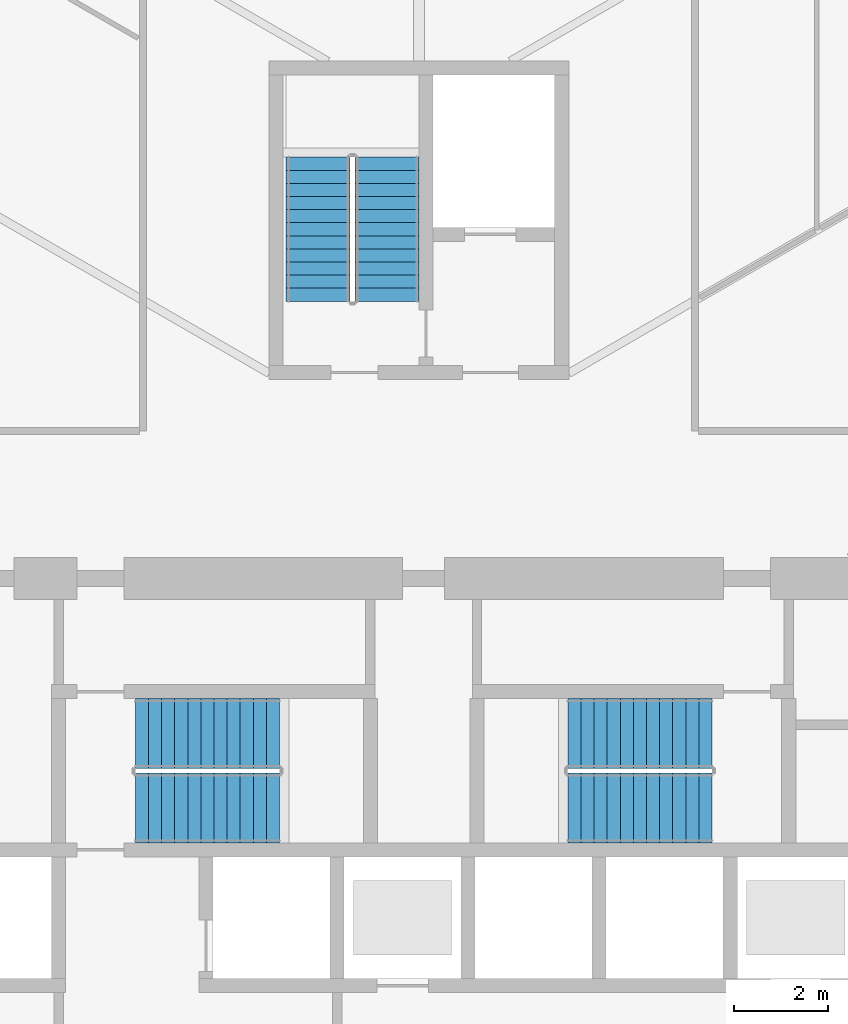
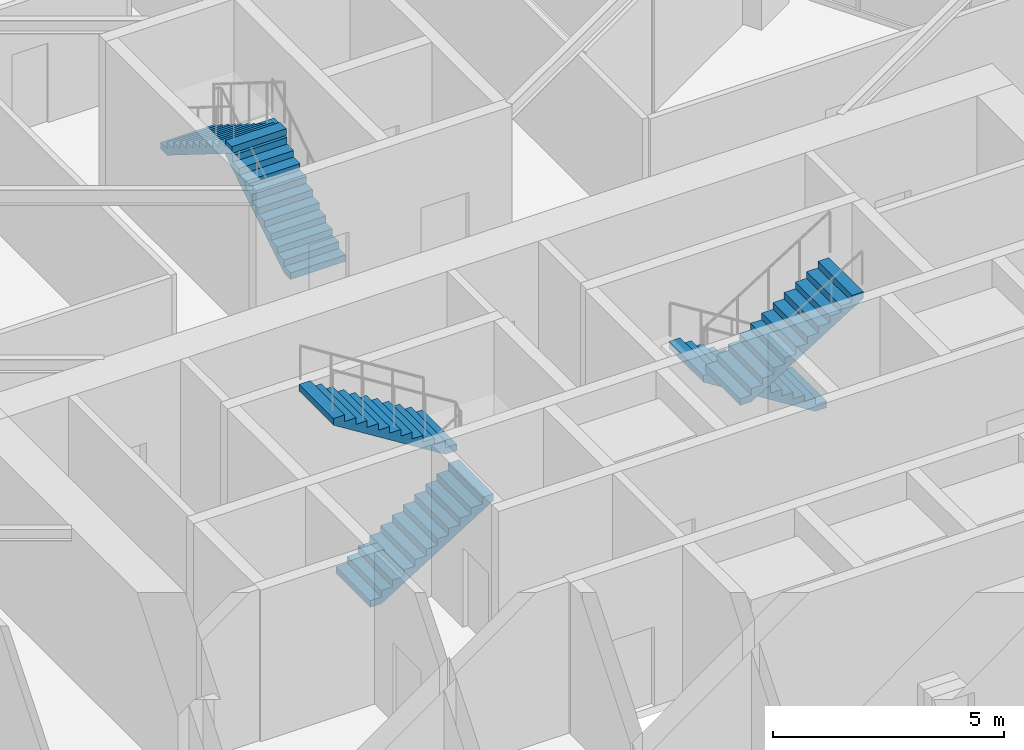
# One storey, part 27 of 29: 6 stair flights, 3 elements without a shape of their own.
"""IFC4 building model written with IfcOpenShell, lengths in metres."""

from ifc_helpers import new_model, si_unit, direction, frame, origin, place, context, subcontext, project, spatial, polyline, outline, extrude, material, type_object, element, aggregate, save


model = new_model("IFC4")

# Units and contexts
model_context = context("Model", 3, precision=1e-05, world=origin(), true_north=direction((0.0, 1.0)))
body_context = subcontext(model_context, "Body", "Model", "MODEL_VIEW")
ifc_project = project(units=[si_unit("LENGTHUNIT", "METRE"), si_unit("AREAUNIT", "SQUARE_METRE"), si_unit("VOLUMEUNIT", "CUBIC_METRE"), si_unit("PLANEANGLEUNIT", "RADIAN"), si_unit("MASSUNIT", "GRAM", prefix="KILO")], contexts=[model_context])

# Site, building, storey
site_placement = place(None, origin())
site = spatial("IfcSite", under=ifc_project, at=site_placement, CompositionType="ELEMENT")
building_placement = place(site_placement, origin())
building = spatial("IfcBuilding", under=site, at=building_placement, Name="Firuza Gate Tower and Library", CompositionType="ELEMENT")
storey_placement = place(building_placement, frame((0.0, 0.0, 44.199951171875)))
storey = spatial("IfcBuildingStorey", under=building, at=storey_placement, Name="L09", CompositionType="ELEMENT", Elevation=44.199951171875)

# Stair, stair flights
ifc_material_1 = material(Name="Concrete C35/45", Category="concrete")
stair_type_1 = type_object("IfcStairType", Name="Exit stair ST14", PredefinedType="HALF_TURN_STAIR", material=ifc_material_1)
placement = place(storey_placement, origin())
stair_1 = element("IfcStair", 1, at=placement, inside=storey, type_object=stair_type_1, Name="L09 Stair ST3", PredefinedType="HALF_TURN_STAIR")
ifc_material_2 = material(Name="Concrete C35/45", Category="concrete")
stair_flight_type_1 = type_object("IfcStairFlightType", Name="Stair flight 12 risers 175 width 1370", PredefinedType="STRAIGHT", material=ifc_material_2)
stair_flight_1_placement = place(storey_placement, frame((74.31494140625, 89.469970703125, 0.0), z_axis=(0.0, 0.0, 1.0), x_axis=(0.0, 1.0, 0.0)))
stair_flight_1 = element("IfcStairFlight", 2, at=stair_flight_1_placement, type_object=stair_flight_type_1, Name="ST3 flight 1", NumberOfRisers=12, NumberOfTreads=11, PredefinedType="STRAIGHT", RiserHeight=0.175, TreadLength=0.28, context=body_context, shape_type="SweptSolid", body=[
    extrude(outline(polyline([(0.0, 0.0), (0.0, 0.175048828125), (0.280029296875, 0.175048828125), (0.280029296875, 0.35009765625), (0.56005859375, 0.35009765625), (0.56005859375, 0.52490234375), (0.840087890625, 0.52490234375), (0.840087890625, 0.699951171875), (1.1201171875, 0.699951171875), (1.1201171875, 0.875), (1.39990234375, 0.875), (1.39990234375, 1.050048828125), (1.679931640625, 1.050048828125), (1.679931640625, 1.22509765625), (1.9599609375, 1.22509765625), (1.9599609375, 1.39990234375), (2.239990234375, 1.39990234375), (2.239990234375, 1.574951171875), (2.52001953125, 1.574951171875), (2.52001953125, 1.75), (2.800048828125, 1.75), (2.800048828125, 1.925048828125), (3.080078125, 1.925048828125), (3.080078125, 2.10009765625), (3.080078125, 1.748291015625), (0.28271484375, 0.0), (0.0, 0.0)])), frame((0.0, 0.68505859375, 0.0), z_axis=(0.0, -1.0, 0.0), x_axis=(1.0, 0.0, 0.0)), (0.0, 0.0, 1.0), 1.3701171875),
])
stair_flight_2_placement = place(storey_placement, frame((72.844970703125, 92.550048828125, 2.10009765625), z_axis=(0.0, 0.0, 1.0), x_axis=(0.0, -1.0, 0.0)))
stair_flight_2 = element("IfcStairFlight", 3, at=stair_flight_2_placement, type_object=stair_flight_type_1, Name="ST3 flight 2", NumberOfRisers=12, NumberOfTreads=11, PredefinedType="STRAIGHT", RiserHeight=0.175, TreadLength=0.28, context=body_context, shape_type="SweptSolid", body=[
    extrude(outline(polyline([(0.0, 0.0), (0.0, 0.175048828125), (0.280029296875, 0.175048828125), (0.280029296875, 0.35009765625), (0.56005859375, 0.35009765625), (0.56005859375, 0.52490234375), (0.840087890625, 0.52490234375), (0.840087890625, 0.699951171875), (1.1201171875, 0.699951171875), (1.1201171875, 0.875), (1.39990234375, 0.875), (1.39990234375, 1.050048828125), (1.679931640625, 1.050048828125), (1.679931640625, 1.22509765625), (1.9599609375, 1.22509765625), (1.9599609375, 1.39990234375), (2.239990234375, 1.39990234375), (2.239990234375, 1.574951171875), (2.52001953125, 1.574951171875), (2.52001953125, 1.75), (2.800048828125, 1.75), (2.800048828125, 1.925048828125), (3.080078125, 1.925048828125), (3.080078125, 2.10009765625), (3.080078125, 1.748291015625), (0.28271484375, 0.0), (0.0, 0.0)])), frame((0.0, 0.68505859375, 0.0), z_axis=(0.0, -1.0, 0.0), x_axis=(1.0, 0.0, 0.0)), (0.0, 0.0, 1.0), 1.3701171875),
])
aggregate(stair_1, [stair_flight_1, stair_flight_2])

ifc_material_3 = material(Name="Concrete C35/45", Category="concrete")
stair_type_2 = type_object("IfcStairType", Name="Exit stair ST5", PredefinedType="HALF_TURN_STAIR", material=ifc_material_3)
stair_2 = element("IfcStair", 4, at=placement, inside=storey, type_object=stair_type_2, Name="L09 Stair ST1", PredefinedType="HALF_TURN_STAIR")
ifc_material_4 = material(Name="Concrete C35/45", Category="concrete")
stair_flight_type_2 = type_object("IfcStairFlightType", Name="Stair flight 12 risers 175 width 1490", PredefinedType="STRAIGHT", material=ifc_material_4)
stair_flight_3_placement = place(storey_placement, frame((68.93994140625, 78.64501953125, 0.0), z_axis=(0.0, 0.0, 1.0), x_axis=(1.0, 0.0, 0.0)))
stair_flight_3 = element("IfcStairFlight", 5, at=stair_flight_3_placement, type_object=stair_flight_type_2, Name="ST1 flight 1", NumberOfRisers=12, NumberOfTreads=11, PredefinedType="STRAIGHT", RiserHeight=0.175, TreadLength=0.28, context=body_context, shape_type="SweptSolid", body=[
    extrude(outline(polyline([(0.0, 0.0), (0.0, 0.175048828125), (0.280029296875, 0.175048828125), (0.280029296875, 0.35009765625), (0.56005859375, 0.35009765625), (0.56005859375, 0.52490234375), (0.840087890625, 0.52490234375), (0.840087890625, 0.699951171875), (1.1201171875, 0.699951171875), (1.1201171875, 0.875), (1.39990234375, 0.875), (1.39990234375, 1.050048828125), (1.679931640625, 1.050048828125), (1.679931640625, 1.22509765625), (1.9599609375, 1.22509765625), (1.9599609375, 1.39990234375), (2.239990234375, 1.39990234375), (2.239990234375, 1.574951171875), (2.52001953125, 1.574951171875), (2.52001953125, 1.75), (2.800048828125, 1.75), (2.800048828125, 1.925048828125), (3.080078125, 1.925048828125), (3.080078125, 2.10009765625), (3.080078125, 1.748291015625), (0.28271484375, 0.0), (0.0, 0.0)])), frame((0.0, 0.7451171875, 0.0), z_axis=(0.0, -1.0, 0.0), x_axis=(1.0, 0.0, 0.0)), (0.0, 0.0, 1.0), 1.489990234375),
])
stair_flight_4_placement = place(storey_placement, frame((72.02001953125, 80.235107421875, 2.10009765625), z_axis=(0.0, 0.0, 1.0), x_axis=(-1.0, 0.0, 0.0)))
stair_flight_4 = element("IfcStairFlight", 6, at=stair_flight_4_placement, type_object=stair_flight_type_2, Name="ST1 flight 2", NumberOfRisers=12, NumberOfTreads=11, PredefinedType="STRAIGHT", RiserHeight=0.175, TreadLength=0.28, context=body_context, shape_type="SweptSolid", body=[
    extrude(outline(polyline([(0.0, 0.0), (0.0, 0.175048828125), (0.280029296875, 0.175048828125), (0.280029296875, 0.35009765625), (0.56005859375, 0.35009765625), (0.56005859375, 0.52490234375), (0.840087890625, 0.52490234375), (0.840087890625, 0.699951171875), (1.1201171875, 0.699951171875), (1.1201171875, 0.875), (1.39990234375, 0.875), (1.39990234375, 1.050048828125), (1.679931640625, 1.050048828125), (1.679931640625, 1.22509765625), (1.9599609375, 1.22509765625), (1.9599609375, 1.39990234375), (2.239990234375, 1.39990234375), (2.239990234375, 1.574951171875), (2.52001953125, 1.574951171875), (2.52001953125, 1.75), (2.800048828125, 1.75), (2.800048828125, 1.925048828125), (3.080078125, 1.925048828125), (3.080078125, 2.10009765625), (3.080078125, 1.748291015625), (0.28271484375, 0.0), (0.0, 0.0)])), frame((0.0, 0.7451171875, 0.0), z_axis=(0.0, -1.0, 0.0), x_axis=(1.0, 0.0, 0.0)), (0.0, 0.0, 1.0), 1.489990234375),
])
aggregate(stair_2, [stair_flight_3, stair_flight_4])

stair_3 = element("IfcStair", 7, at=placement, inside=storey, type_object=stair_type_2, Name="L09 Stair ST2", PredefinedType="HALF_TURN_STAIR")
stair_flight_5_placement = place(storey_placement, frame((81.260009765625, 80.235107421875, 0.0), z_axis=(0.0, 0.0, 1.0), x_axis=(-1.0, 0.0, 0.0)))
stair_flight_5 = element("IfcStairFlight", 8, at=stair_flight_5_placement, type_object=stair_flight_type_2, Name="ST2 flight 1", NumberOfRisers=12, NumberOfTreads=11, PredefinedType="STRAIGHT", RiserHeight=0.175, TreadLength=0.28, context=body_context, shape_type="SweptSolid", body=[
    extrude(outline(polyline([(0.0, 0.0), (0.0, 0.175048828125), (0.280029296875, 0.175048828125), (0.280029296875, 0.35009765625), (0.56005859375, 0.35009765625), (0.56005859375, 0.52490234375), (0.840087890625, 0.52490234375), (0.840087890625, 0.699951171875), (1.1201171875, 0.699951171875), (1.1201171875, 0.875), (1.39990234375, 0.875), (1.39990234375, 1.050048828125), (1.679931640625, 1.050048828125), (1.679931640625, 1.22509765625), (1.9599609375, 1.22509765625), (1.9599609375, 1.39990234375), (2.239990234375, 1.39990234375), (2.239990234375, 1.574951171875), (2.52001953125, 1.574951171875), (2.52001953125, 1.75), (2.800048828125, 1.75), (2.800048828125, 1.925048828125), (3.080078125, 1.925048828125), (3.080078125, 2.10009765625), (3.080078125, 1.748291015625), (0.28271484375, 0.0), (0.0, 0.0)])), frame((0.0, 0.7451171875, 0.0), z_axis=(0.0, -1.0, 0.0), x_axis=(1.0, 0.0, 0.0)), (0.0, 0.0, 1.0), 1.489990234375),
])
stair_flight_6_placement = place(storey_placement, frame((78.179931640625, 78.64501953125, 2.10009765625), z_axis=(0.0, 0.0, 1.0), x_axis=(1.0, 0.0, 0.0)))
stair_flight_6 = element("IfcStairFlight", 9, at=stair_flight_6_placement, type_object=stair_flight_type_2, Name="ST2 flight 2", NumberOfRisers=12, NumberOfTreads=11, PredefinedType="STRAIGHT", RiserHeight=0.175, TreadLength=0.28, context=body_context, shape_type="SweptSolid", body=[
    extrude(outline(polyline([(0.0, 0.0), (0.0, 0.175048828125), (0.280029296875, 0.175048828125), (0.280029296875, 0.35009765625), (0.56005859375, 0.35009765625), (0.56005859375, 0.52490234375), (0.840087890625, 0.52490234375), (0.840087890625, 0.699951171875), (1.1201171875, 0.699951171875), (1.1201171875, 0.875), (1.39990234375, 0.875), (1.39990234375, 1.050048828125), (1.679931640625, 1.050048828125), (1.679931640625, 1.22509765625), (1.9599609375, 1.22509765625), (1.9599609375, 1.39990234375), (2.239990234375, 1.39990234375), (2.239990234375, 1.574951171875), (2.52001953125, 1.574951171875), (2.52001953125, 1.75), (2.800048828125, 1.75), (2.800048828125, 1.925048828125), (3.080078125, 1.925048828125), (3.080078125, 2.10009765625), (3.080078125, 1.748291015625), (0.28271484375, 0.0), (0.0, 0.0)])), frame((0.0, 0.7451171875, 0.0), z_axis=(0.0, -1.0, 0.0), x_axis=(1.0, 0.0, 0.0)), (0.0, 0.0, 1.0), 1.489990234375),
])
aggregate(stair_3, [stair_flight_5, stair_flight_6])

save(model, "model.ifc")
